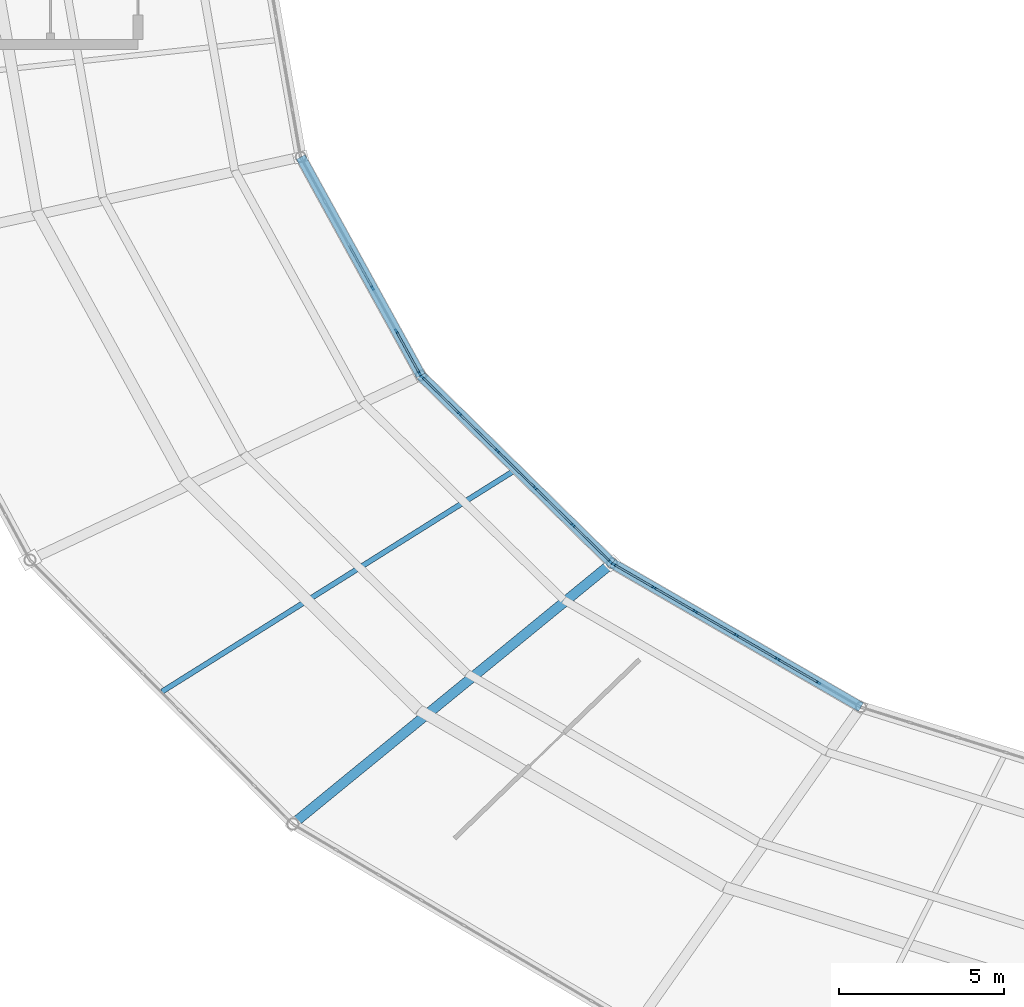
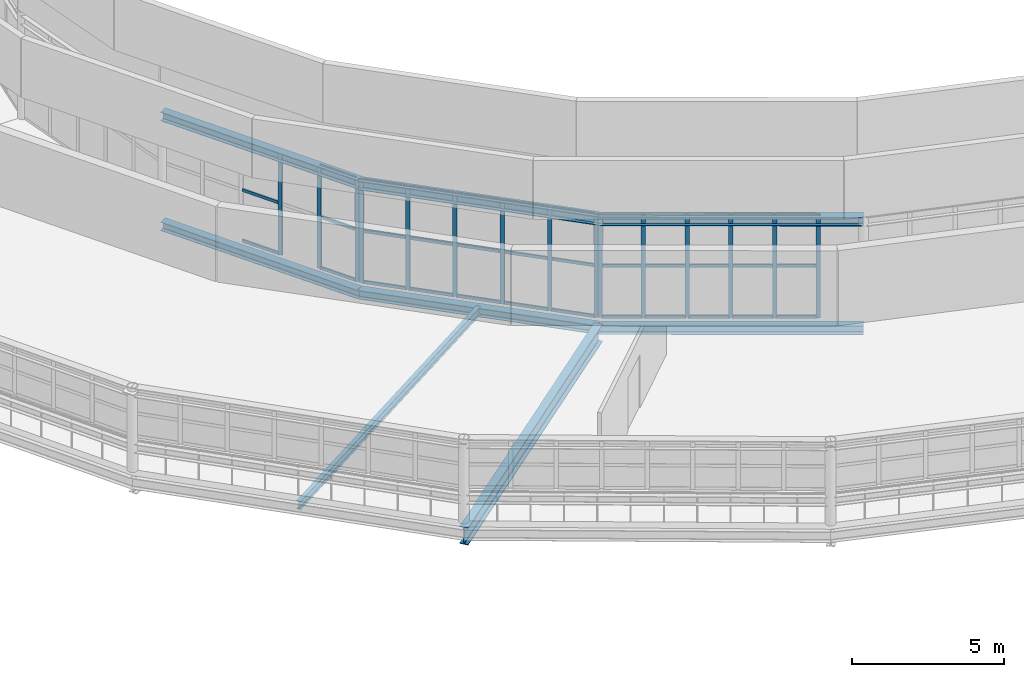
# One storey, part 44 of 123: 50 members, 8 beams, 3 elements without a shape of their own.
"""IFC4 building model written with IfcOpenShell, lengths in metres."""

from ifc_helpers import new_model, si_unit, direction, frame, origin, origin_2d, place, context, subcontext, project, spatial, rectangle, i_section, extrude, material, material_profile, profile_set, type_object, element, aggregate, save


model = new_model("IFC4")

# Units and contexts
model_context = context("Model", 3, precision=1e-05, world=origin(), true_north=direction((0.0, 1.0)))
body_context = subcontext(model_context, "Body", "Model", "MODEL_VIEW")
ifc_project = project(units=[si_unit("LENGTHUNIT", "METRE"), si_unit("AREAUNIT", "SQUARE_METRE"), si_unit("VOLUMEUNIT", "CUBIC_METRE"), si_unit("PLANEANGLEUNIT", "RADIAN"), si_unit("MASSUNIT", "GRAM", prefix="KILO")], contexts=[model_context])

# Site, building, storey
site_placement = place(None, origin())
site = spatial("IfcSite", under=ifc_project, at=site_placement, CompositionType="ELEMENT")
building_placement = place(site_placement, origin())
building = spatial("IfcBuilding", under=site, at=building_placement, Name="Kildeholm Park Wholesale Market", CompositionType="ELEMENT")
storey_placement = place(building_placement, frame((0.0, 0.0, 9.60009765625)))
storey = spatial("IfcBuildingStorey", under=building, at=storey_placement, Name="L02", CompositionType="ELEMENT", Elevation=9.60009765625)

# Beams
ifc_material_1 = material(Name="Steel S355", Category="steel")
ifc_material_profile_1 = material_profile(ifc_material_1, i_section(OverallWidth=0.300048828125, OverallDepth=0.699951171875, WebThickness=0.01708984375, FlangeThickness=0.031982421875, FilletRadius=0.027099609375, at=origin_2d()), Name="HEB 700")
ifc_profile_set_1 = profile_set([ifc_material_profile_1], Name="Steel S355")
beam_type_1 = type_object("IfcBeamType", Name="Beam B-G01 HEB 700", PredefinedType="BEAM", material=ifc_profile_set_1)
beam_1_placement = place(storey_placement, frame((73.19091796875, 70.054931640625, -0.60009765625), z_axis=(-0.774216280002, -0.632921126034, 0.0), x_axis=(0.632921126034, -0.774216280002, 0.0)))
element("IfcBeam", 1, at=beam_1_placement, inside=storey, type_object=beam_type_1, Name="Beam BM-V1-L02-R1-15 BM-0137", PredefinedType="BEAM", context=body_context, shape_type="SweptSolid", body=[
    extrude(i_section(OverallWidth=0.300048828125, OverallDepth=0.699951171875, WebThickness=0.01708984375, FlangeThickness=0.031982421875, FilletRadius=0.027099609375, at=origin_2d()), origin(), (0.0, 0.0, 1.0), 12.51318359375),
])
ifc_material_profile_2 = material_profile(ifc_material_1, i_section(OverallWidth=0.300048828125, OverallDepth=0.35009765625, WebThickness=0.010009765625, FlangeThickness=0.017578125, FilletRadius=0.027099609375, at=origin_2d()), Name="HEA 360")
ifc_profile_set_2 = profile_set([ifc_material_profile_2], Name="Steel S355")
beam_type_2 = type_object("IfcBeamType", Name="Beam B-R01 HEA 360", PredefinedType="BEAM", material=ifc_profile_set_2)
beam_2_placement = place(storey_placement, frame((63.743896484375, 82.382080078125, -0.42919921875), z_axis=(0.481751565348, -0.876307839338, 0.0), x_axis=(0.876307839338, 0.481751565348, 0.0)))
element("IfcBeam", 2, at=beam_2_placement, inside=storey, type_object=beam_type_2, Name="Beam BM-V1-L02-CI-13 BM-0123", PredefinedType="BEAM", context=body_context, shape_type="SweptSolid", body=[
    extrude(i_section(OverallWidth=0.300048828125, OverallDepth=0.35009765625, WebThickness=0.010009765625, FlangeThickness=0.017578125, FilletRadius=0.027099609375, at=origin_2d()), origin(), (0.0, 0.0, 1.0), 7.568115234375),
])
beam_3_placement = place(storey_placement, frame((67.389892578125, 75.75, -0.42919921875), z_axis=(0.713593723838, -0.700559774251, 0.0), x_axis=(0.700559774251, 0.713593723838, 0.0)))
element("IfcBeam", 3, at=beam_3_placement, inside=storey, type_object=beam_type_2, Name="Beam BM-V1-L02-CI-14 BM-0132", PredefinedType="BEAM", context=body_context, shape_type="SweptSolid", body=[
    extrude(i_section(OverallWidth=0.300048828125, OverallDepth=0.35009765625, WebThickness=0.010009765625, FlangeThickness=0.017578125, FilletRadius=0.027099609375, at=origin_2d()), origin(), (0.0, 0.0, 1.0), 8.12939453125),
])
beam_4_placement = place(storey_placement, frame((73.19091796875, 70.054931640625, -0.42919921875), z_axis=(0.865697347457, -0.500567780231, 0.0), x_axis=(0.500567780231, 0.865697347457, 0.0)))
element("IfcBeam", 4, at=beam_4_placement, inside=storey, type_object=beam_type_2, Name="Beam BM-V1-L02-CI-15 BM-0142", PredefinedType="BEAM", context=body_context, shape_type="SweptSolid", body=[
    extrude(i_section(OverallWidth=0.300048828125, OverallDepth=0.35009765625, WebThickness=0.010009765625, FlangeThickness=0.017578125, FilletRadius=0.027099609375, at=origin_2d()), origin(), (0.0, 0.0, 1.0), 8.731689453125),
])
ifc_material_profile_3 = material_profile(ifc_material_1, i_section(OverallWidth=0.300048828125, OverallDepth=0.360107421875, WebThickness=0.012451171875, FlangeThickness=0.0224609375, FilletRadius=0.027099609375, at=origin_2d()), Name="HEB 360")
ifc_profile_set_3 = profile_set([ifc_material_profile_3], Name="Steel S355")
beam_type_3 = type_object("IfcBeamType", Name="Beam B-R03 HEB 360", PredefinedType="BEAM", material=ifc_profile_set_3)
beam_5_placement = place(storey_placement, frame((63.743896484375, 82.382080078125, 3.988525390625), z_axis=(0.481751565348, -0.876307839338, 0.0), x_axis=(0.876307839338, 0.481751565348, 0.0)))
element("IfcBeam", 5, at=beam_5_placement, inside=storey, type_object=beam_type_3, Name="Beam BM-V1-RF-IN-13 BM-0301", PredefinedType="BEAM", context=body_context, shape_type="SweptSolid", body=[
    extrude(i_section(OverallWidth=0.300048828125, OverallDepth=0.360107421875, WebThickness=0.012451171875, FlangeThickness=0.0224609375, FilletRadius=0.027099609375, at=origin_2d()), origin(), (0.0, 0.0, 1.0), 7.568115234375),
])
beam_6_placement = place(storey_placement, frame((67.389892578125, 75.75, 3.9658203125), z_axis=(0.713593723838, -0.700559774251, 0.0), x_axis=(0.700559774251, 0.713593723838, 0.0)))
element("IfcBeam", 6, at=beam_6_placement, inside=storey, type_object=beam_type_3, Name="Beam BM-V1-RF-IN-14 BM-0307", PredefinedType="BEAM", context=body_context, shape_type="SweptSolid", body=[
    extrude(i_section(OverallWidth=0.300048828125, OverallDepth=0.360107421875, WebThickness=0.012451171875, FlangeThickness=0.0224609375, FilletRadius=0.027099609375, at=origin_2d()), origin(), (0.0, 0.0, 1.0), 8.12939453125),
])
beam_7_placement = place(storey_placement, frame((73.19091796875, 70.054931640625, 3.94091796875), z_axis=(0.865697347457, -0.500567780231, 0.0), x_axis=(0.500567780231, 0.865697347457, 0.0)))
element("IfcBeam", 7, at=beam_7_placement, inside=storey, type_object=beam_type_3, Name="Beam BM-V1-RF-IN-15 BM-0313", PredefinedType="BEAM", context=body_context, shape_type="SweptSolid", body=[
    extrude(i_section(OverallWidth=0.300048828125, OverallDepth=0.360107421875, WebThickness=0.012451171875, FlangeThickness=0.0224609375, FilletRadius=0.027099609375, at=origin_2d()), origin(), (0.0, 0.0, 1.0), 8.731689453125),
])
ifc_material_profile_4 = material_profile(ifc_material_1, i_section(OverallWidth=0.159912109375, OverallDepth=0.330078125, WebThickness=0.007568359375, FlangeThickness=0.011474609375, FilletRadius=0.01806640625, at=origin_2d()), Name="IPE 330")
ifc_profile_set_4 = profile_set([ifc_material_profile_4], Name="Steel S355")
beam_type_4 = type_object("IfcBeamType", Name="Beam J-03 IPE 330", PredefinedType="JOIST", material=ifc_profile_set_4)
beam_8_placement = place(storey_placement, frame((70.273681640625, 72.891845703125, -0.4150390625), z_axis=(-0.847114536958, -0.531410351116, 0.0), x_axis=(0.531410351116, -0.847114536958, 0.0)))
element("IfcBeam", 8, at=beam_8_placement, inside=storey, type_object=beam_type_4, Name="Beam JT-V1-L02-14 BM-0135", PredefinedType="JOIST", context=body_context, shape_type="SweptSolid", body=[
    extrude(i_section(OverallWidth=0.159912109375, OverallDepth=0.330078125, WebThickness=0.007568359375, FlangeThickness=0.011474609375, FilletRadius=0.01806640625, at=origin_2d()), origin(), (0.0, 0.0, 1.0), 12.680908203125),
])

# Curtain wall, members
ifc_material_2 = material(Name="Anodised aluminium and low-E double-glazed glass", Category="aluminium")
curtain_wall_type = type_object("IfcCurtainWallType", Name="Clerestory daylight stick curtain wall CW-02", PredefinedType="NOTDEFINED", material=ifc_material_2)
curtain_wall_1_placement = place(storey_placement, origin())
curtain_wall_1 = element("IfcCurtainWall", 9, at=curtain_wall_1_placement, inside=storey, type_object=curtain_wall_type, Name="Curtain wall CW-V1-IN2-13 CW-0068", PredefinedType="NOTDEFINED")
ifc_material_3 = material(Name="Anodised aluminium", Category="aluminium")
ifc_material_profile_5 = material_profile(ifc_material_3, rectangle(XDim=0.06005859375, YDim=0.14990234375, at=origin_2d()), Name="CWM 60x150")
ifc_profile_set_5 = profile_set([ifc_material_profile_5], Name="Anodised aluminium")
member_type_1 = type_object("IfcMemberType", Name="Curtain-wall mullion CWM-3 CWM 60x150", PredefinedType="MULLION", material=ifc_profile_set_5)
member_1_placement = place(storey_placement, frame((65.921875, 78.408203125, 0.0), z_axis=(0.0, 0.0, 1.0), x_axis=(0.876308922506, 0.481749595055, 0.0)))
member_1 = element("IfcMember", 10, at=member_1_placement, type_object=member_type_1, Name="CW-02 mullion 4 MEM-2228", PredefinedType="MULLION", context=body_context, shape_type="SweptSolid", body=[
    extrude(rectangle(XDim=0.06005859375, YDim=0.14990234375, at=origin_2d()), origin(), (0.0, 0.0, 1.0), 4.14990234375),
])
member_2_placement = place(storey_placement, frame((66.643310546875, 77.095703125, 0.0), z_axis=(0.0, 0.0, 1.0), x_axis=(0.876308922506, 0.481749595055, 0.0)))
member_2 = element("IfcMember", 11, at=member_2_placement, type_object=member_type_1, Name="CW-02 mullion 5 MEM-2229", PredefinedType="MULLION", context=body_context, shape_type="SweptSolid", body=[
    extrude(rectangle(XDim=0.06005859375, YDim=0.14990234375, at=origin_2d()), origin(), (0.0, 0.0, 1.0), 4.14990234375),
])
member_3_placement = place(storey_placement, frame((67.3505859375, 75.809326171875, 0.0), z_axis=(0.0, 0.0, 1.0), x_axis=(0.876308922506, 0.481749595055, 0.0)))
member_3 = element("IfcMember", 12, at=member_3_placement, type_object=member_type_1, Name="CW-02 mullion 6 MEM-2230", PredefinedType="MULLION", context=body_context, shape_type="SweptSolid", body=[
    extrude(rectangle(XDim=0.06005859375, YDim=0.14990234375, at=origin_2d()), origin(), (0.0, 0.0, 1.0), 4.14990234375),
])

curtain_wall_2_placement = place(storey_placement, origin())
curtain_wall_2 = element("IfcCurtainWall", 13, at=curtain_wall_2_placement, inside=storey, type_object=curtain_wall_type, Name="Curtain wall CW-V1-IN2-14 CW-0073", PredefinedType="NOTDEFINED")
member_4_placement = place(storey_placement, frame((67.435302734375, 75.697998046875, 0.0), z_axis=(0.0, 0.0, 1.0), x_axis=(0.700616534607, 0.713537995789, 0.0)))
member_4 = element("IfcMember", 14, at=member_4_placement, type_object=member_type_1, Name="CW-02 mullion 1 MEM-2354", PredefinedType="MULLION", context=body_context, shape_type="SweptSolid", body=[
    extrude(rectangle(XDim=0.06005859375, YDim=0.14990234375, at=origin_2d()), origin(), (0.0, 0.0, 1.0), 4.14990234375),
])
member_5_placement = place(storey_placement, frame((68.5625, 74.59130859375, 0.0), z_axis=(0.0, 0.0, 1.0), x_axis=(0.700616534607, 0.713537995789, 0.0)))
member_5 = element("IfcMember", 15, at=member_5_placement, type_object=member_type_1, Name="CW-02 mullion 2 MEM-2355", PredefinedType="MULLION", context=body_context, shape_type="SweptSolid", body=[
    extrude(rectangle(XDim=0.06005859375, YDim=0.14990234375, at=origin_2d()), origin(), (0.0, 0.0, 1.0), 4.14990234375),
])
member_6_placement = place(storey_placement, frame((69.711181640625, 73.46337890625, 0.0), z_axis=(0.0, 0.0, 1.0), x_axis=(0.700616534607, 0.713537995789, 0.0)))
member_6 = element("IfcMember", 16, at=member_6_placement, type_object=member_type_1, Name="CW-02 mullion 3 MEM-2356", PredefinedType="MULLION", context=body_context, shape_type="SweptSolid", body=[
    extrude(rectangle(XDim=0.06005859375, YDim=0.14990234375, at=origin_2d()), origin(), (0.0, 0.0, 1.0), 4.14990234375),
])
member_7_placement = place(storey_placement, frame((70.85986328125, 72.335693359375, 0.0), z_axis=(0.0, 0.0, 1.0), x_axis=(0.700616534607, 0.713537995789, 0.0)))
member_7 = element("IfcMember", 17, at=member_7_placement, type_object=member_type_1, Name="CW-02 mullion 4 MEM-2357", PredefinedType="MULLION", context=body_context, shape_type="SweptSolid", body=[
    extrude(rectangle(XDim=0.06005859375, YDim=0.14990234375, at=origin_2d()), origin(), (0.0, 0.0, 1.0), 4.14990234375),
])
member_8_placement = place(storey_placement, frame((72.00830078125, 71.207763671875, 0.0), z_axis=(0.0, 0.0, 1.0), x_axis=(0.700616534607, 0.713537995789, 0.0)))
member_8 = element("IfcMember", 18, at=member_8_placement, type_object=member_type_1, Name="CW-02 mullion 5 MEM-2358", PredefinedType="MULLION", context=body_context, shape_type="SweptSolid", body=[
    extrude(rectangle(XDim=0.06005859375, YDim=0.14990234375, at=origin_2d()), origin(), (0.0, 0.0, 1.0), 4.14990234375),
])
member_9_placement = place(storey_placement, frame((73.135498046875, 70.10107421875, 0.0), z_axis=(0.0, 0.0, 1.0), x_axis=(0.700616534607, 0.713537995789, 0.0)))
member_9 = element("IfcMember", 19, at=member_9_placement, type_object=member_type_1, Name="CW-02 mullion 6 MEM-2359", PredefinedType="MULLION", context=body_context, shape_type="SweptSolid", body=[
    extrude(rectangle(XDim=0.06005859375, YDim=0.14990234375, at=origin_2d()), origin(), (0.0, 0.0, 1.0), 4.14990234375),
])

curtain_wall_3_placement = place(storey_placement, origin())
curtain_wall_3 = element("IfcCurtainWall", 20, at=curtain_wall_3_placement, inside=storey, type_object=curtain_wall_type, Name="Curtain wall CW-V1-IN2-15 CW-0078", PredefinedType="NOTDEFINED")
member_10_placement = place(storey_placement, frame((73.248046875, 70.015869140625, 0.0), z_axis=(0.0, 0.0, 1.0), x_axis=(0.500489412982, 0.865742656621, 0.0)))
member_10 = element("IfcMember", 21, at=member_10_placement, type_object=member_type_1, Name="CW-02 mullion 1 MEM-2495", PredefinedType="MULLION", context=body_context, shape_type="SweptSolid", body=[
    extrude(rectangle(XDim=0.06005859375, YDim=0.14990234375, at=origin_2d()), origin(), (0.0, 0.0, 1.0), 4.14990234375),
])
member_11_placement = place(storey_placement, frame((74.47021484375, 69.309326171875, 0.0), z_axis=(0.0, 0.0, 1.0), x_axis=(0.500489412982, 0.865742656621, 0.0)))
member_11 = element("IfcMember", 22, at=member_11_placement, type_object=member_type_1, Name="CW-02 mullion 2 MEM-2496", PredefinedType="MULLION", context=body_context, shape_type="SweptSolid", body=[
    extrude(rectangle(XDim=0.06005859375, YDim=0.14990234375, at=origin_2d()), origin(), (0.0, 0.0, 1.0), 4.14990234375),
])
member_12_placement = place(storey_placement, frame((75.71875, 68.587646484375, 0.0), z_axis=(0.0, 0.0, 1.0), x_axis=(0.500489412982, 0.865742656621, 0.0)))
member_12 = element("IfcMember", 23, at=member_12_placement, type_object=member_type_1, Name="CW-02 mullion 3 MEM-2497", PredefinedType="MULLION", context=body_context, shape_type="SweptSolid", body=[
    extrude(rectangle(XDim=0.06005859375, YDim=0.14990234375, at=origin_2d()), origin(), (0.0, 0.0, 1.0), 4.14990234375),
])
member_13_placement = place(storey_placement, frame((76.967041015625, 67.865966796875, 0.0), z_axis=(0.0, 0.0, 1.0), x_axis=(0.500489412982, 0.865742656621, 0.0)))
member_13 = element("IfcMember", 24, at=member_13_placement, type_object=member_type_1, Name="CW-02 mullion 4 MEM-2498", PredefinedType="MULLION", context=body_context, shape_type="SweptSolid", body=[
    extrude(rectangle(XDim=0.06005859375, YDim=0.14990234375, at=origin_2d()), origin(), (0.0, 0.0, 1.0), 4.14990234375),
])
member_14_placement = place(storey_placement, frame((78.21533203125, 67.144287109375, 0.0), z_axis=(0.0, 0.0, 1.0), x_axis=(0.500489412982, 0.865742656621, 0.0)))
member_14 = element("IfcMember", 25, at=member_14_placement, type_object=member_type_1, Name="CW-02 mullion 5 MEM-2499", PredefinedType="MULLION", context=body_context, shape_type="SweptSolid", body=[
    extrude(rectangle(XDim=0.06005859375, YDim=0.14990234375, at=origin_2d()), origin(), (0.0, 0.0, 1.0), 4.14990234375),
])
member_15_placement = place(storey_placement, frame((79.463623046875, 66.422607421875, 0.0), z_axis=(0.0, 0.0, 1.0), x_axis=(0.500489412982, 0.865742656621, 0.0)))
member_15 = element("IfcMember", 26, at=member_15_placement, type_object=member_type_1, Name="CW-02 mullion 6 MEM-2500", PredefinedType="MULLION", context=body_context, shape_type="SweptSolid", body=[
    extrude(rectangle(XDim=0.06005859375, YDim=0.14990234375, at=origin_2d()), origin(), (0.0, 0.0, 1.0), 4.14990234375),
])

# Member
ifc_material_profile_6 = material_profile(ifc_material_3, rectangle(XDim=0.06005859375, YDim=0.1201171875, at=origin_2d()), Name="CWT 60x120")
ifc_profile_set_6 = profile_set([ifc_material_profile_6], Name="Anodised aluminium")
member_type_2 = type_object("IfcMemberType", Name="Curtain-wall transom CWT-3 CWT 60x120", PredefinedType="USERDEFINED", material=ifc_profile_set_6)
member_16_placement = place(storey_placement, frame((65.214599609375, 79.694580078125, 0.02978515625), z_axis=(0.481716674184, -0.876327019903, 0.0), x_axis=(0.876327019903, 0.481716674184, 0.0)))
member_16 = element("IfcMember", 27, at=member_16_placement, type_object=member_type_2, Name="CW-02 transom 3.1 MEM-2237", ObjectType="TRANSOM", PredefinedType="USERDEFINED", context=body_context, shape_type="SweptSolid", body=[
    extrude(rectangle(XDim=0.06005859375, YDim=0.1201171875, at=origin_2d()), origin(), (0.0, 0.0, 1.0), 1.437744140625),
])

member_17_placement = place(storey_placement, frame((65.214599609375, 79.694580078125, 2.074951171875), z_axis=(0.481716674184, -0.876327019903, 0.0), x_axis=(0.876327019903, 0.481716674184, 0.0)))
member_17 = element("IfcMember", 28, at=member_17_placement, type_object=member_type_2, Name="CW-02 transom 3.2 MEM-2238", ObjectType="TRANSOM", PredefinedType="USERDEFINED", context=body_context, shape_type="SweptSolid", body=[
    extrude(rectangle(XDim=0.06005859375, YDim=0.1201171875, at=origin_2d()), origin(), (0.0, 0.0, 1.0), 1.437744140625),
])

member_18_placement = place(storey_placement, frame((66.657958984375, 77.0693359375, 0.02978515625), z_axis=(0.481765625321, -0.8763001097, 0.0), x_axis=(0.8763001097, 0.481765625321, 0.0)))
member_18 = element("IfcMember", 29, at=member_18_placement, type_object=member_type_2, Name="CW-02 transom 5.1 MEM-2243", ObjectType="TRANSOM", PredefinedType="USERDEFINED", context=body_context, shape_type="SweptSolid", body=[
    extrude(rectangle(XDim=0.06005859375, YDim=0.1201171875, at=origin_2d()), origin(), (0.0, 0.0, 1.0), 1.40771484375),
])

member_19_placement = place(storey_placement, frame((66.657958984375, 77.0693359375, 2.074951171875), z_axis=(0.481765625321, -0.8763001097, 0.0), x_axis=(0.8763001097, 0.481765625321, 0.0)))
member_19 = element("IfcMember", 30, at=member_19_placement, type_object=member_type_2, Name="CW-02 transom 5.2 MEM-2244", ObjectType="TRANSOM", PredefinedType="USERDEFINED", context=body_context, shape_type="SweptSolid", body=[
    extrude(rectangle(XDim=0.06005859375, YDim=0.1201171875, at=origin_2d()), origin(), (0.0, 0.0, 1.0), 1.40771484375),
])

member_20_placement = place(storey_placement, frame((66.657958984375, 77.0693359375, 4.119873046875), z_axis=(0.481765625321, -0.8763001097, 0.0), x_axis=(0.8763001097, 0.481765625321, 0.0)))
member_20 = element("IfcMember", 31, at=member_20_placement, type_object=member_type_2, Name="CW-02 transom 5.3 MEM-2245", ObjectType="TRANSOM", PredefinedType="USERDEFINED", context=body_context, shape_type="SweptSolid", body=[
    extrude(rectangle(XDim=0.06005859375, YDim=0.1201171875, at=origin_2d()), origin(), (0.0, 0.0, 1.0), 1.40771484375),
])

aggregate(curtain_wall_1, [member_1, member_2, member_3, member_16, member_17, member_18, member_19, member_20])

member_21_placement = place(storey_placement, frame((67.456787109375, 75.677001953125, 0.02978515625), z_axis=(0.713582952172, -0.700570746156, 0.0), x_axis=(0.700570746156, 0.713582952172, 0.0)))
member_21 = element("IfcMember", 32, at=member_21_placement, type_object=member_type_2, Name="CW-02 transom 1.1 MEM-2360", ObjectType="TRANSOM", PredefinedType="USERDEFINED", context=body_context, shape_type="SweptSolid", body=[
    extrude(rectangle(XDim=0.06005859375, YDim=0.1201171875, at=origin_2d()), origin(), (0.0, 0.0, 1.0), 1.519775390625),
])

member_22_placement = place(storey_placement, frame((67.456787109375, 75.677001953125, 2.074951171875), z_axis=(0.713582952172, -0.700570746156, 0.0), x_axis=(0.700570746156, 0.713582952172, 0.0)))
member_22 = element("IfcMember", 33, at=member_22_placement, type_object=member_type_2, Name="CW-02 transom 1.2 MEM-2361", ObjectType="TRANSOM", PredefinedType="USERDEFINED", context=body_context, shape_type="SweptSolid", body=[
    extrude(rectangle(XDim=0.06005859375, YDim=0.1201171875, at=origin_2d()), origin(), (0.0, 0.0, 1.0), 1.519775390625),
])

member_23_placement = place(storey_placement, frame((67.456787109375, 75.677001953125, 4.119873046875), z_axis=(0.713582952172, -0.700570746156, 0.0), x_axis=(0.700570746156, 0.713582952172, 0.0)))
member_23 = element("IfcMember", 34, at=member_23_placement, type_object=member_type_2, Name="CW-02 transom 1.3 MEM-2362", ObjectType="TRANSOM", PredefinedType="USERDEFINED", context=body_context, shape_type="SweptSolid", body=[
    extrude(rectangle(XDim=0.06005859375, YDim=0.1201171875, at=origin_2d()), origin(), (0.0, 0.0, 1.0), 1.519775390625),
])

member_24_placement = place(storey_placement, frame((68.583984375, 74.570068359375, 0.02978515625), z_axis=(0.713536761503, -0.700617791655, 0.0), x_axis=(0.700617791655, 0.713536761503, 0.0)))
member_24 = element("IfcMember", 35, at=member_24_placement, type_object=member_type_2, Name="CW-02 transom 2.1 MEM-2363", ObjectType="TRANSOM", PredefinedType="USERDEFINED", context=body_context, shape_type="SweptSolid", body=[
    extrude(rectangle(XDim=0.06005859375, YDim=0.1201171875, at=origin_2d()), origin(), (0.0, 0.0, 1.0), 1.549560546875),
])

member_25_placement = place(storey_placement, frame((68.583984375, 74.570068359375, 2.074951171875), z_axis=(0.713536761503, -0.700617791655, 0.0), x_axis=(0.700617791655, 0.713536761503, 0.0)))
member_25 = element("IfcMember", 36, at=member_25_placement, type_object=member_type_2, Name="CW-02 transom 2.2 MEM-2364", ObjectType="TRANSOM", PredefinedType="USERDEFINED", context=body_context, shape_type="SweptSolid", body=[
    extrude(rectangle(XDim=0.06005859375, YDim=0.1201171875, at=origin_2d()), origin(), (0.0, 0.0, 1.0), 1.549560546875),
])

member_26_placement = place(storey_placement, frame((68.583984375, 74.570068359375, 4.119873046875), z_axis=(0.713536761503, -0.700617791655, 0.0), x_axis=(0.700617791655, 0.713536761503, 0.0)))
member_26 = element("IfcMember", 37, at=member_26_placement, type_object=member_type_2, Name="CW-02 transom 2.3 MEM-2365", ObjectType="TRANSOM", PredefinedType="USERDEFINED", context=body_context, shape_type="SweptSolid", body=[
    extrude(rectangle(XDim=0.06005859375, YDim=0.1201171875, at=origin_2d()), origin(), (0.0, 0.0, 1.0), 1.549560546875),
])

member_27_placement = place(storey_placement, frame((69.732666015625, 73.4423828125, 0.02978515625), z_axis=(0.713536761503, -0.700617791655, 0.0), x_axis=(0.700617791655, 0.713536761503, 0.0)))
member_27 = element("IfcMember", 38, at=member_27_placement, type_object=member_type_2, Name="CW-02 transom 3.1 MEM-2366", ObjectType="TRANSOM", PredefinedType="USERDEFINED", context=body_context, shape_type="SweptSolid", body=[
    extrude(rectangle(XDim=0.06005859375, YDim=0.1201171875, at=origin_2d()), origin(), (0.0, 0.0, 1.0), 1.549560546875),
])

member_28_placement = place(storey_placement, frame((69.732666015625, 73.4423828125, 2.074951171875), z_axis=(0.713536761503, -0.700617791655, 0.0), x_axis=(0.700617791655, 0.713536761503, 0.0)))
member_28 = element("IfcMember", 39, at=member_28_placement, type_object=member_type_2, Name="CW-02 transom 3.2 MEM-2367", ObjectType="TRANSOM", PredefinedType="USERDEFINED", context=body_context, shape_type="SweptSolid", body=[
    extrude(rectangle(XDim=0.06005859375, YDim=0.1201171875, at=origin_2d()), origin(), (0.0, 0.0, 1.0), 1.549560546875),
])

member_29_placement = place(storey_placement, frame((69.732666015625, 73.4423828125, 4.119873046875), z_axis=(0.713536761503, -0.700617791655, 0.0), x_axis=(0.700617791655, 0.713536761503, 0.0)))
member_29 = element("IfcMember", 40, at=member_29_placement, type_object=member_type_2, Name="CW-02 transom 3.3 MEM-2368", ObjectType="TRANSOM", PredefinedType="USERDEFINED", context=body_context, shape_type="SweptSolid", body=[
    extrude(rectangle(XDim=0.06005859375, YDim=0.1201171875, at=origin_2d()), origin(), (0.0, 0.0, 1.0), 1.549560546875),
])

member_30_placement = place(storey_placement, frame((70.881103515625, 72.314697265625, 0.02978515625), z_axis=(0.713535335808, -0.700619243636, 0.0), x_axis=(0.700619243636, 0.713535335808, 0.0)))
member_30 = element("IfcMember", 41, at=member_30_placement, type_object=member_type_2, Name="CW-02 transom 4.1 MEM-2369", ObjectType="TRANSOM", PredefinedType="USERDEFINED", context=body_context, shape_type="SweptSolid", body=[
    extrude(rectangle(XDim=0.06005859375, YDim=0.1201171875, at=origin_2d()), origin(), (0.0, 0.0, 1.0), 1.550048828125),
])

member_31_placement = place(storey_placement, frame((70.881103515625, 72.314697265625, 2.074951171875), z_axis=(0.713535335808, -0.700619243636, 0.0), x_axis=(0.700619243636, 0.713535335808, 0.0)))
member_31 = element("IfcMember", 42, at=member_31_placement, type_object=member_type_2, Name="CW-02 transom 4.2 MEM-2370", ObjectType="TRANSOM", PredefinedType="USERDEFINED", context=body_context, shape_type="SweptSolid", body=[
    extrude(rectangle(XDim=0.06005859375, YDim=0.1201171875, at=origin_2d()), origin(), (0.0, 0.0, 1.0), 1.550048828125),
])

member_32_placement = place(storey_placement, frame((70.881103515625, 72.314697265625, 4.119873046875), z_axis=(0.713535335808, -0.700619243636, 0.0), x_axis=(0.700619243636, 0.713535335808, 0.0)))
member_32 = element("IfcMember", 43, at=member_32_placement, type_object=member_type_2, Name="CW-02 transom 4.3 MEM-2371", ObjectType="TRANSOM", PredefinedType="USERDEFINED", context=body_context, shape_type="SweptSolid", body=[
    extrude(rectangle(XDim=0.06005859375, YDim=0.1201171875, at=origin_2d()), origin(), (0.0, 0.0, 1.0), 1.550048828125),
])

member_33_placement = place(storey_placement, frame((72.02978515625, 71.186767578125, 0.02978515625), z_axis=(0.713582952172, -0.700570746156, 0.0), x_axis=(0.700570746156, 0.713582952172, 0.0)))
member_33 = element("IfcMember", 44, at=member_33_placement, type_object=member_type_2, Name="CW-02 transom 5.1 MEM-2372", ObjectType="TRANSOM", PredefinedType="USERDEFINED", context=body_context, shape_type="SweptSolid", body=[
    extrude(rectangle(XDim=0.06005859375, YDim=0.1201171875, at=origin_2d()), origin(), (0.0, 0.0, 1.0), 1.519775390625),
])

member_34_placement = place(storey_placement, frame((72.02978515625, 71.186767578125, 2.074951171875), z_axis=(0.713582952172, -0.700570746156, 0.0), x_axis=(0.700570746156, 0.713582952172, 0.0)))
member_34 = element("IfcMember", 45, at=member_34_placement, type_object=member_type_2, Name="CW-02 transom 5.2 MEM-2373", ObjectType="TRANSOM", PredefinedType="USERDEFINED", context=body_context, shape_type="SweptSolid", body=[
    extrude(rectangle(XDim=0.06005859375, YDim=0.1201171875, at=origin_2d()), origin(), (0.0, 0.0, 1.0), 1.519775390625),
])

member_35_placement = place(storey_placement, frame((72.02978515625, 71.186767578125, 4.119873046875), z_axis=(0.713582952172, -0.700570746156, 0.0), x_axis=(0.700570746156, 0.713582952172, 0.0)))
member_35 = element("IfcMember", 46, at=member_35_placement, type_object=member_type_2, Name="CW-02 transom 5.3 MEM-2374", ObjectType="TRANSOM", PredefinedType="USERDEFINED", context=body_context, shape_type="SweptSolid", body=[
    extrude(rectangle(XDim=0.06005859375, YDim=0.1201171875, at=origin_2d()), origin(), (0.0, 0.0, 1.0), 1.519775390625),
])

aggregate(curtain_wall_2, [member_4, member_5, member_6, member_7, member_8, member_9, member_21, member_22, member_23, member_24, member_25, member_26, member_27, member_28, member_29, member_30, member_31, member_32, member_33, member_34, member_35])

member_36_placement = place(storey_placement, frame((73.27392578125, 70.0009765625, 0.02978515625), z_axis=(0.865776399866, -0.500431039639, 0.0), x_axis=(0.500431039639, 0.865776399866, 0.0)))
member_36 = element("IfcMember", 47, at=member_36_placement, type_object=member_type_2, Name="CW-02 transom 1.1 MEM-2502", ObjectType="TRANSOM", PredefinedType="USERDEFINED", context=body_context, shape_type="SweptSolid", body=[
    extrude(rectangle(XDim=0.06005859375, YDim=0.1201171875, at=origin_2d()), origin(), (0.0, 0.0, 1.0), 1.351806640625),
])

member_37_placement = place(storey_placement, frame((73.27392578125, 70.0009765625, 2.074951171875), z_axis=(0.865776399866, -0.500431039639, 0.0), x_axis=(0.500431039639, 0.865776399866, 0.0)))
member_37 = element("IfcMember", 48, at=member_37_placement, type_object=member_type_2, Name="CW-02 transom 1.2 MEM-2503", ObjectType="TRANSOM", PredefinedType="USERDEFINED", context=body_context, shape_type="SweptSolid", body=[
    extrude(rectangle(XDim=0.06005859375, YDim=0.1201171875, at=origin_2d()), origin(), (0.0, 0.0, 1.0), 1.351806640625),
])

member_38_placement = place(storey_placement, frame((73.27392578125, 70.0009765625, 4.119873046875), z_axis=(0.865776399866, -0.500431039639, 0.0), x_axis=(0.500431039639, 0.865776399866, 0.0)))
member_38 = element("IfcMember", 49, at=member_38_placement, type_object=member_type_2, Name="CW-02 transom 1.3 MEM-2504", ObjectType="TRANSOM", PredefinedType="USERDEFINED", context=body_context, shape_type="SweptSolid", body=[
    extrude(rectangle(XDim=0.06005859375, YDim=0.1201171875, at=origin_2d()), origin(), (0.0, 0.0, 1.0), 1.351806640625),
])

member_39_placement = place(storey_placement, frame((74.496337890625, 69.29443359375, 0.02978515625), z_axis=(0.865720476709, -0.500527777657, 0.0), x_axis=(0.500527777657, 0.865720476709, 0.0)))
member_39 = element("IfcMember", 50, at=member_39_placement, type_object=member_type_2, Name="CW-02 transom 2.1 MEM-2505", ObjectType="TRANSOM", PredefinedType="USERDEFINED", context=body_context, shape_type="SweptSolid", body=[
    extrude(rectangle(XDim=0.06005859375, YDim=0.1201171875, at=origin_2d()), origin(), (0.0, 0.0, 1.0), 1.3818359375),
])

member_40_placement = place(storey_placement, frame((74.496337890625, 69.29443359375, 2.074951171875), z_axis=(0.865720476709, -0.500527777657, 0.0), x_axis=(0.500527777657, 0.865720476709, 0.0)))
member_40 = element("IfcMember", 51, at=member_40_placement, type_object=member_type_2, Name="CW-02 transom 2.2 MEM-2506", ObjectType="TRANSOM", PredefinedType="USERDEFINED", context=body_context, shape_type="SweptSolid", body=[
    extrude(rectangle(XDim=0.06005859375, YDim=0.1201171875, at=origin_2d()), origin(), (0.0, 0.0, 1.0), 1.3818359375),
])

member_41_placement = place(storey_placement, frame((74.496337890625, 69.29443359375, 4.119873046875), z_axis=(0.865720476709, -0.500527777657, 0.0), x_axis=(0.500527777657, 0.865720476709, 0.0)))
member_41 = element("IfcMember", 52, at=member_41_placement, type_object=member_type_2, Name="CW-02 transom 2.3 MEM-2507", ObjectType="TRANSOM", PredefinedType="USERDEFINED", context=body_context, shape_type="SweptSolid", body=[
    extrude(rectangle(XDim=0.06005859375, YDim=0.1201171875, at=origin_2d()), origin(), (0.0, 0.0, 1.0), 1.3818359375),
])

member_42_placement = place(storey_placement, frame((75.74462890625, 68.57275390625, 0.02978515625), z_axis=(0.865720476709, -0.500527777657, 0.0), x_axis=(0.500527777657, 0.865720476709, 0.0)))
member_42 = element("IfcMember", 53, at=member_42_placement, type_object=member_type_2, Name="CW-02 transom 3.1 MEM-2508", ObjectType="TRANSOM", PredefinedType="USERDEFINED", context=body_context, shape_type="SweptSolid", body=[
    extrude(rectangle(XDim=0.06005859375, YDim=0.1201171875, at=origin_2d()), origin(), (0.0, 0.0, 1.0), 1.3818359375),
])

member_43_placement = place(storey_placement, frame((75.74462890625, 68.57275390625, 2.074951171875), z_axis=(0.865720476709, -0.500527777657, 0.0), x_axis=(0.500527777657, 0.865720476709, 0.0)))
member_43 = element("IfcMember", 54, at=member_43_placement, type_object=member_type_2, Name="CW-02 transom 3.2 MEM-2509", ObjectType="TRANSOM", PredefinedType="USERDEFINED", context=body_context, shape_type="SweptSolid", body=[
    extrude(rectangle(XDim=0.06005859375, YDim=0.1201171875, at=origin_2d()), origin(), (0.0, 0.0, 1.0), 1.3818359375),
])

member_44_placement = place(storey_placement, frame((75.74462890625, 68.57275390625, 4.119873046875), z_axis=(0.865720476709, -0.500527777657, 0.0), x_axis=(0.500527777657, 0.865720476709, 0.0)))
member_44 = element("IfcMember", 55, at=member_44_placement, type_object=member_type_2, Name="CW-02 transom 3.3 MEM-2510", ObjectType="TRANSOM", PredefinedType="USERDEFINED", context=body_context, shape_type="SweptSolid", body=[
    extrude(rectangle(XDim=0.06005859375, YDim=0.1201171875, at=origin_2d()), origin(), (0.0, 0.0, 1.0), 1.3818359375),
])

member_45_placement = place(storey_placement, frame((76.992919921875, 67.85107421875, 0.02978515625), z_axis=(0.865764729264, -0.500451229954, 0.0), x_axis=(0.500451229954, 0.865764729264, 0.0)))
member_45 = element("IfcMember", 56, at=member_45_placement, type_object=member_type_2, Name="CW-02 transom 4.1 MEM-2511", ObjectType="TRANSOM", PredefinedType="USERDEFINED", context=body_context, shape_type="SweptSolid", body=[
    extrude(rectangle(XDim=0.06005859375, YDim=0.1201171875, at=origin_2d()), origin(), (0.0, 0.0, 1.0), 1.382080078125),
])

member_46_placement = place(storey_placement, frame((76.992919921875, 67.85107421875, 2.074951171875), z_axis=(0.865764729264, -0.500451229954, 0.0), x_axis=(0.500451229954, 0.865764729264, 0.0)))
member_46 = element("IfcMember", 57, at=member_46_placement, type_object=member_type_2, Name="CW-02 transom 4.2 MEM-2512", ObjectType="TRANSOM", PredefinedType="USERDEFINED", context=body_context, shape_type="SweptSolid", body=[
    extrude(rectangle(XDim=0.06005859375, YDim=0.1201171875, at=origin_2d()), origin(), (0.0, 0.0, 1.0), 1.382080078125),
])

member_47_placement = place(storey_placement, frame((76.992919921875, 67.85107421875, 4.119873046875), z_axis=(0.865764729264, -0.500451229954, 0.0), x_axis=(0.500451229954, 0.865764729264, 0.0)))
member_47 = element("IfcMember", 58, at=member_47_placement, type_object=member_type_2, Name="CW-02 transom 4.3 MEM-2513", ObjectType="TRANSOM", PredefinedType="USERDEFINED", context=body_context, shape_type="SweptSolid", body=[
    extrude(rectangle(XDim=0.06005859375, YDim=0.1201171875, at=origin_2d()), origin(), (0.0, 0.0, 1.0), 1.382080078125),
])

member_48_placement = place(storey_placement, frame((78.2412109375, 67.12939453125, 0.02978515625), z_axis=(0.865764729264, -0.500451229954, 0.0), x_axis=(0.500451229954, 0.865764729264, 0.0)))
member_48 = element("IfcMember", 59, at=member_48_placement, type_object=member_type_2, Name="CW-02 transom 5.1 MEM-2514", ObjectType="TRANSOM", PredefinedType="USERDEFINED", context=body_context, shape_type="SweptSolid", body=[
    extrude(rectangle(XDim=0.06005859375, YDim=0.1201171875, at=origin_2d()), origin(), (0.0, 0.0, 1.0), 1.382080078125),
])

member_49_placement = place(storey_placement, frame((78.2412109375, 67.12939453125, 2.074951171875), z_axis=(0.865764729264, -0.500451229954, 0.0), x_axis=(0.500451229954, 0.865764729264, 0.0)))
member_49 = element("IfcMember", 60, at=member_49_placement, type_object=member_type_2, Name="CW-02 transom 5.2 MEM-2515", ObjectType="TRANSOM", PredefinedType="USERDEFINED", context=body_context, shape_type="SweptSolid", body=[
    extrude(rectangle(XDim=0.06005859375, YDim=0.1201171875, at=origin_2d()), origin(), (0.0, 0.0, 1.0), 1.382080078125),
])

member_50_placement = place(storey_placement, frame((78.2412109375, 67.12939453125, 4.119873046875), z_axis=(0.865764729264, -0.500451229954, 0.0), x_axis=(0.500451229954, 0.865764729264, 0.0)))
member_50 = element("IfcMember", 61, at=member_50_placement, type_object=member_type_2, Name="CW-02 transom 5.3 MEM-2516", ObjectType="TRANSOM", PredefinedType="USERDEFINED", context=body_context, shape_type="SweptSolid", body=[
    extrude(rectangle(XDim=0.06005859375, YDim=0.1201171875, at=origin_2d()), origin(), (0.0, 0.0, 1.0), 1.382080078125),
])

aggregate(curtain_wall_3, [member_10, member_11, member_12, member_13, member_14, member_15, member_36, member_37, member_38, member_39, member_40, member_41, member_42, member_43, member_44, member_45, member_46, member_47, member_48, member_49, member_50])

save(model, "model.ifc")
